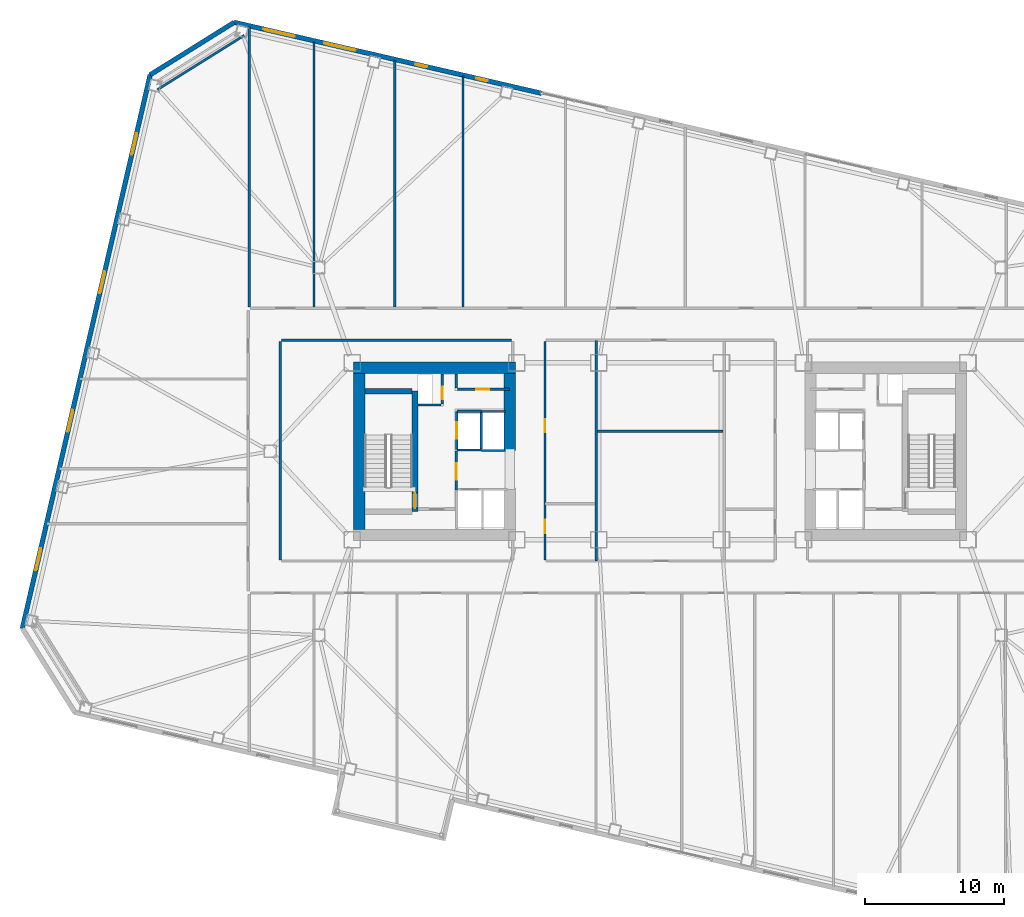
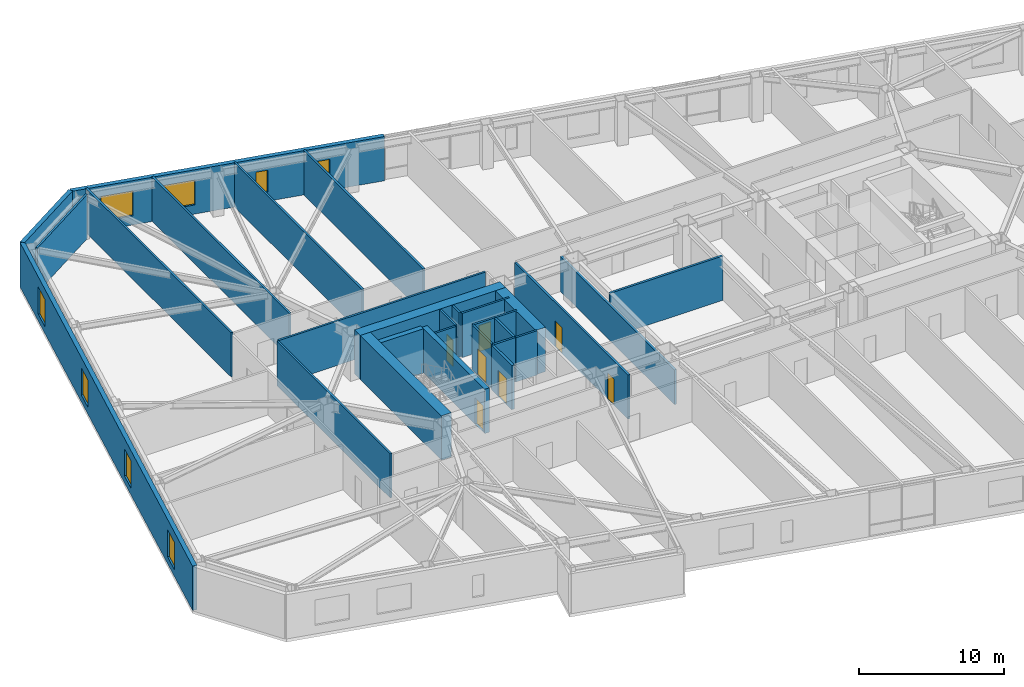
# One storey, part 10 of 18: 29 walls, 8 windows, 7 doors, 15 openings.
"""IFC4 building model written with IfcOpenShell, lengths in metres."""

from ifc_helpers import new_model, si_unit, direction, frame, frame_2d, origin, place, context, subcontext, project, spatial, rectangle, extrude, material, layer, layer_set, type_object, element, fill, save


model = new_model("IFC4")

# Units and contexts
model_context = context("Model", 3, precision=1e-05, world=origin(), true_north=direction((0.0, 1.0)))
body_context = subcontext(model_context, "Body", "Model", "MODEL_VIEW")
ifc_project = project(units=[si_unit("LENGTHUNIT", "METRE"), si_unit("AREAUNIT", "SQUARE_METRE"), si_unit("VOLUMEUNIT", "CUBIC_METRE"), si_unit("PLANEANGLEUNIT", "RADIAN"), si_unit("MASSUNIT", "GRAM", prefix="KILO")], contexts=[model_context])

# Site, building, storey
site_placement = place(None, origin())
site = spatial("IfcSite", under=ifc_project, at=site_placement, CompositionType="ELEMENT")
building_placement = place(site_placement, origin())
building = spatial("IfcBuilding", under=site, at=building_placement, Name="Tavrogorsk Clinical Tower", CompositionType="ELEMENT")
storey_placement = place(building_placement, frame((0.0, 0.0, 51.39990234375)))
storey = spatial("IfcBuildingStorey", under=building, at=storey_placement, Name="L10", CompositionType="ELEMENT", Elevation=51.39990234375)

# Wall, opening, door
ifc_material_1 = material(Name="Concrete B60", Category="concrete")
ifc_layer_1 = layer(ifc_material_1, 0.199951171875)
ifc_layer_set_1 = layer_set([ifc_layer_1], Name="Concrete B60")
wall_type_1 = type_object("IfcWallType", Name="CoreFireWall_200", PredefinedType="SOLIDWALL", material=ifc_layer_set_1)
wall_1_placement = place(storey_placement, frame((-14.639892578125, -2.780029296875, 0.0), z_axis=(0.0, 0.0, 1.0), x_axis=(0.0, 1.0, 0.0)))
wall_1 = element("IfcWall", 1, at=wall_1_placement, inside=storey, type_object=wall_type_1, Name="L10 Core West Firefighting Lobby Fire Wall", PredefinedType="SOLIDWALL", context=body_context, shape_type="SweptSolid", body=[
    extrude(rectangle(XDim=2.820068359375, YDim=0.199951171875, at=frame_2d((1.41015625, 0.0))), origin(), (0.0, 0.0, 1.0), 3.739990234375),
])
opening_1_placement = place(wall_1_placement, frame((0.72998046875, 0.0, 0.0)))
opening_1 = element("IfcOpeningElement", 2, at=opening_1_placement, cuts=wall_1, Name="Opening FD-01", PredefinedType="OPENING", context=body_context, shape_type="SweptSolid", body=[
    extrude(rectangle(XDim=1.199951171875, YDim=2.199951171875, at=frame_2d((0.60009765625, 1.10009765625))), frame((0.0, 0.10986328125, 0.0), z_axis=(0.0, -1.0, 0.0), x_axis=(1.0, 0.0, 0.0)), (0.0, 0.0, 1.0), 0.219970703125),
])
ifc_material_2 = material(Name="Galvanised steel fire-rated door assembly", Category="steel")
door_type_1 = type_object("IfcDoorType", Name="FireDoor_FD01_1200", OperationType="NOTDEFINED", PredefinedType="DOOR", material=ifc_material_2)
door_1_placement = place(opening_1_placement, origin())
door_1 = element("IfcDoor", 3, at=door_1_placement, inside=storey, type_object=door_type_1, Name="L10 Core West Firefighting Lobby Entry Door", OperationType="SINGLE_SWING_RIGHT", OverallHeight=2.199951171875, OverallWidth=1.199951171875, PredefinedType="DOOR", context=body_context, shape_type="SweptSolid", body=[
    extrude(rectangle(XDim=1.199951171875, YDim=2.199951171875, at=frame_2d((0.60009765625, 1.10009765625))), frame((0.0, 0.02490234375, 0.0), z_axis=(0.0, -1.0, 0.0), x_axis=(1.0, 0.0, 0.0)), (0.0, 0.0, 1.0), 0.050048828125),
])
fill(opening_1, door_1)

ifc_material_3 = material(Name="Lightweight concrete blockwork B15", Category="masonry")
ifc_layer_2 = layer(ifc_material_3, 0.159912109375)
ifc_layer_set_2 = layer_set([ifc_layer_2], Name="Lightweight concrete blockwork B15")
wall_type_2 = type_object("IfcWallType", Name="PartitionWall_160", PredefinedType="PARTITIONING", material=ifc_layer_set_2)
wall_2_placement = place(storey_placement, frame((-14.554931640625, 4.4599609375, 0.0), z_axis=(0.0, 0.0, 1.0), x_axis=(1.0, 0.0, 0.0)))
wall_2 = element("IfcWall", 4, at=wall_2_placement, inside=storey, type_object=wall_type_2, Name="L10 Core West Pneumatic Dispatch South Wall", PredefinedType="PARTITIONING", context=body_context, shape_type="SweptSolid", body=[
    extrude(rectangle(XDim=3.7548828125, YDim=0.159912109375, at=frame_2d((1.87744140625, 0.0))), origin(), (0.0, 0.0, 1.0), 3.739990234375),
])
opening_2_placement = place(wall_2_placement, frame((1.35009765625, 0.0, 0.0)))
opening_2 = element("IfcOpeningElement", 5, at=opening_2_placement, cuts=wall_2, Name="Opening ID-02", PredefinedType="OPENING", context=body_context, shape_type="SweptSolid", body=[
    extrude(rectangle(XDim=0.949951171875, YDim=2.199951171875, at=frame_2d((0.47509765625, 1.10009765625))), frame((0.0, 0.08984375, 0.0), z_axis=(0.0, -1.0, 0.0), x_axis=(1.0, 0.0, 0.0)), (0.0, 0.0, 1.0), 0.179931640625),
])
ifc_material_4 = material(Name="Laminated timber leaf on aluminium frame", Category="wood")
door_type_2 = type_object("IfcDoorType", Name="InteriorDoor_ID02_950", OperationType="NOTDEFINED", PredefinedType="DOOR", material=ifc_material_4)
door_2_placement = place(opening_2_placement, origin())
door_2 = element("IfcDoor", 6, at=door_2_placement, inside=storey, type_object=door_type_2, Name="L10 Core West Pneumatic Dispatch Door", OperationType="SINGLE_SWING_LEFT", OverallHeight=2.199951171875, OverallWidth=0.949951171875, PredefinedType="DOOR", context=body_context, shape_type="SweptSolid", body=[
    extrude(rectangle(XDim=0.949951171875, YDim=2.199951171875, at=frame_2d((0.47509765625, 1.10009765625))), frame((0.0, 0.02490234375, 0.0), z_axis=(0.0, -1.0, 0.0), x_axis=(1.0, 0.0, 0.0)), (0.0, 0.0, 1.0), 0.050048828125),
])
fill(opening_2, door_2)

# Walls
wall_3_placement = place(storey_placement, frame((-14.639892578125, 4.544921875, 0.0), z_axis=(0.0, 0.0, 1.0), x_axis=(0.0, 1.0, 0.0)))
element("IfcWall", 7, at=wall_3_placement, inside=storey, type_object=wall_type_2, Name="L10 Core West Pneumatic Dispatch East Wall", PredefinedType="PARTITIONING", context=body_context, shape_type="SweptSolid", body=[
    extrude(rectangle(XDim=1.01513671875, YDim=0.159912109375, at=frame_2d((0.507568359375, 0.0))), origin(), (0.0, 0.0, 1.0), 3.739990234375),
])
wall_4_placement = place(storey_placement, frame((-29.859619140625, 29.8681640625, 0.0), z_axis=(0.0, 0.0, 1.0), x_axis=(-0.848043064089, -0.529927317139, 0.0)))
element("IfcWall", 8, at=wall_4_placement, inside=storey, type_object=wall_type_2, Name="L10 Corner Exoskeleton Brace Furring Wall 3", PredefinedType="PARTITIONING", context=body_context, shape_type="SweptSolid", body=[
    extrude(rectangle(XDim=7.353759765625, YDim=0.159912109375, at=frame_2d((3.6767578125, 0.0))), origin(), (0.0, 0.0, 1.0), 3.739990234375),
])

# Wall, openings, doors
wall_5_placement = place(storey_placement, frame((-8.27001953125, 7.885009765625, 0.0), z_axis=(0.0, 0.0, 1.0), x_axis=(0.0, -1.0, 0.0)))
wall_5 = element("IfcWall", 9, at=wall_5_placement, inside=storey, type_object=wall_type_2, Name="L10 Corridor Partition 12", PredefinedType="PARTITIONING", context=body_context, shape_type="SweptSolid", body=[
    extrude(rectangle(XDim=15.669921875, YDim=0.159912109375, at=frame_2d((7.8349609375, 0.0))), origin(), (0.0, 0.0, 1.0), 3.739990234375),
])
opening_3_placement = place(wall_5_placement, frame((12.810791015625, 0.0, 0.0)))
opening_3 = element("IfcOpeningElement", 10, at=opening_3_placement, cuts=wall_5, Name="Opening ID-02", PredefinedType="OPENING", context=body_context, shape_type="SweptSolid", body=[
    extrude(rectangle(XDim=0.949951171875, YDim=2.199951171875, at=frame_2d((0.47509765625, 1.10009765625))), frame((0.0, 0.08984375, 0.0), z_axis=(0.0, -1.0, 0.0), x_axis=(1.0, 0.0, 0.0)), (0.0, 0.0, 1.0), 0.179931640625),
])
opening_4_placement = place(wall_5_placement, frame((5.5791015625, 0.0, 0.0)))
opening_4 = element("IfcOpeningElement", 11, at=opening_4_placement, cuts=wall_5, Name="Opening ID-02", PredefinedType="OPENING", context=body_context, shape_type="SweptSolid", body=[
    extrude(rectangle(XDim=0.949951171875, YDim=2.199951171875, at=frame_2d((0.47509765625, 1.10009765625))), frame((0.0, 0.08984375, 0.0), z_axis=(0.0, -1.0, 0.0), x_axis=(1.0, 0.0, 0.0)), (0.0, 0.0, 1.0), 0.179931640625),
])
door_3_placement = place(opening_3_placement, origin())
door_3 = element("IfcDoor", 12, at=door_3_placement, inside=storey, type_object=door_type_2, Name="L10 Accessible Patient Lavatory Door", OperationType="SINGLE_SWING_LEFT", OverallHeight=2.199951171875, OverallWidth=0.949951171875, PredefinedType="DOOR", context=body_context, shape_type="SweptSolid", body=[
    extrude(rectangle(XDim=0.949951171875, YDim=2.199951171875, at=frame_2d((0.47509765625, 1.10009765625))), frame((0.0, 0.02490234375, 0.0), z_axis=(0.0, -1.0, 0.0), x_axis=(1.0, 0.0, 0.0)), (0.0, 0.0, 1.0), 0.050048828125),
])
fill(opening_3, door_3)
door_4_placement = place(opening_4_placement, origin())
door_4 = element("IfcDoor", 13, at=door_4_placement, inside=storey, type_object=door_type_2, Name="L10 Ward Nourishment Pantry Door", OperationType="SINGLE_SWING_RIGHT", OverallHeight=2.199951171875, OverallWidth=0.949951171875, PredefinedType="DOOR", context=body_context, shape_type="SweptSolid", body=[
    extrude(rectangle(XDim=0.949951171875, YDim=2.199951171875, at=frame_2d((0.47509765625, 1.10009765625))), frame((0.0, 0.02490234375, 0.0), z_axis=(0.0, -1.0, 0.0), x_axis=(1.0, 0.0, 0.0)), (0.0, 0.0, 1.0), 0.050048828125),
])
fill(opening_4, door_4)

# Walls
wall_6_placement = place(storey_placement, frame((-10.6650390625, 7.969970703125, 0.0), z_axis=(0.0, 0.0, 1.0), x_axis=(-1.0, 0.0, 0.0)))
element("IfcWall", 14, at=wall_6_placement, inside=storey, type_object=wall_type_2, Name="L10 Corridor Partition 16", PredefinedType="PARTITIONING", context=body_context, shape_type="SweptSolid", body=[
    extrude(rectangle(XDim=16.52001953125, YDim=0.159912109375, at=frame_2d((8.260009765625, 0.0))), origin(), (0.0, 0.0, 1.0), 3.739990234375),
])
wall_7_placement = place(storey_placement, frame((-27.27001953125, 7.885009765625, 0.0), z_axis=(0.0, 0.0, 1.0), x_axis=(0.0, -1.0, 0.0)))
element("IfcWall", 15, at=wall_7_placement, inside=storey, type_object=wall_type_2, Name="L10 Corridor Partition 17", PredefinedType="PARTITIONING", context=body_context, shape_type="SweptSolid", body=[
    extrude(rectangle(XDim=15.669921875, YDim=0.159912109375, at=frame_2d((7.8349609375, 0.0))), origin(), (0.0, 0.0, 1.0), 3.739990234375),
])
wall_8_placement = place(storey_placement, frame((-29.5, 10.364990234375, 0.0), z_axis=(0.0, 0.0, 1.0), x_axis=(0.0, 1.0, 0.0)))
element("IfcWall", 16, at=wall_8_placement, inside=storey, type_object=wall_type_2, Name="L10 NW Wing Closure Partition", PredefinedType="PARTITIONING", context=body_context, shape_type="SweptSolid", body=[
    extrude(rectangle(XDim=20.11865234375, YDim=0.159912109375, at=frame_2d((10.059326171875, 0.0))), origin(), (0.0, 0.0, 1.0), 3.739990234375),
])
wall_9_placement = place(storey_placement, frame((-24.85009765625, 10.364990234375, 0.0), z_axis=(0.0, 0.0, 1.0), x_axis=(0.0, 1.0, 0.0)))
element("IfcWall", 17, at=wall_9_placement, inside=storey, type_object=wall_type_2, Name="L10 North Room Partition 1", PredefinedType="PARTITIONING", context=body_context, shape_type="SweptSolid", body=[
    extrude(rectangle(XDim=19.045166015625, YDim=0.159912109375, at=frame_2d((9.5224609375, 0.0))), origin(), (0.0, 0.0, 1.0), 3.739990234375),
])
wall_10_placement = place(storey_placement, frame((-14.159912109375, 10.364990234375, 0.0), z_axis=(0.0, 0.0, 1.0), x_axis=(0.0, 1.0, 0.0)))
element("IfcWall", 18, at=wall_10_placement, inside=storey, type_object=wall_type_2, Name="L10 North Room Partition 2", PredefinedType="PARTITIONING", context=body_context, shape_type="SweptSolid", body=[
    extrude(rectangle(XDim=16.5771484375, YDim=0.159912109375, at=frame_2d((8.28857421875, 0.0))), origin(), (0.0, 0.0, 1.0), 3.739990234375),
])
wall_11_placement = place(storey_placement, frame((-19.054931640625, 10.364990234375, 0.0), z_axis=(0.0, 0.0, 1.0), x_axis=(0.0, 1.0, 0.0)))
element("IfcWall", 19, at=wall_11_placement, inside=storey, type_object=wall_type_2, Name="L10 North Sub-Partition 2", PredefinedType="PARTITIONING", context=body_context, shape_type="SweptSolid", body=[
    extrude(rectangle(XDim=17.707275390625, YDim=0.159912109375, at=frame_2d((8.853515625, 0.0))), origin(), (0.0, 0.0, 1.0), 3.739990234375),
])
ifc_material_5 = material(Name="Lightweight concrete blockwork B20", Category="masonry")
ifc_layer_3 = layer(ifc_material_5, 0.179931640625)
ifc_layer_set_3 = layer_set([ifc_layer_3], Name="Lightweight concrete blockwork B20")
wall_type_3 = type_object("IfcWallType", Name="PartitionWall_180", PredefinedType="PARTITIONING", material=ifc_layer_set_3)
wall_12_placement = place(storey_placement, frame((-4.60009765625, -7.864990234375, 0.0), z_axis=(0.0, 0.0, 1.0), x_axis=(0.0, 1.0, 0.0)))
element("IfcWall", 20, at=wall_12_placement, inside=storey, type_object=wall_type_3, Name="L10 Central Spine Partition 1", PredefinedType="PARTITIONING", context=body_context, shape_type="SweptSolid", body=[
    extrude(rectangle(XDim=15.830078125, YDim=0.179931640625, at=frame_2d((7.9150390625, 0.0))), origin(), (0.0, 0.0, 1.0), 2.93505859375),
])
wall_13_placement = place(storey_placement, frame((-4.5048828125, 1.449951171875, 0.0), z_axis=(0.0, 0.0, 1.0), x_axis=(1.0, 0.0, 0.0)))
element("IfcWall", 21, at=wall_13_placement, inside=storey, type_object=wall_type_3, Name="L10 Central Spine Partition 3", PredefinedType="PARTITIONING", context=body_context, shape_type="SweptSolid", body=[
    extrude(rectangle(XDim=9.009765625, YDim=0.179931640625, at=frame_2d((4.5048828125, 0.0))), origin(), (0.0, 0.0, 1.0), 3.739990234375),
])

# Wall, openings, windows
ifc_material_6 = material(Name="Precast concrete B45 with limestone cladding", Category="masonry")
ifc_layer_4 = layer(ifc_material_6, 0.340087890625)
ifc_layer_set_4 = layer_set([ifc_layer_4], Name="Precast concrete B45 with limestone cladding")
wall_type_4 = type_object("IfcWallType", Name="PrecastLimestoneWall_340", PredefinedType="STANDARD", material=ifc_layer_set_4)
wall_14_placement = place(storey_placement, frame((-8.5166015625, 25.711181640625, 0.0), z_axis=(0.0, 0.0, 1.0), x_axis=(-0.974372845456, 0.224939009598, 0.0)))
wall_14 = element("IfcWall", 22, at=wall_14_placement, inside=storey, type_object=wall_type_4, Name="L10 N Limestone Facade Wall 3", PredefinedType="STANDARD", context=body_context, shape_type="SweptSolid", body=[
    extrude(rectangle(XDim=22.651611328125, YDim=0.340087890625, at=frame_2d((11.32568359375, 0.0))), origin(), (0.0, 0.0, 1.0), 3.739990234375),
])
opening_5_placement = place(wall_14_placement, frame((18.189208984375, 0.0, 0.77001953125)))
opening_5 = element("IfcOpeningElement", 23, at=opening_5_placement, cuts=wall_14, Name="Opening WN-12", PredefinedType="OPENING", context=body_context, shape_type="SweptSolid", body=[
    extrude(rectangle(XDim=2.300048828125, YDim=2.10009765625, at=frame_2d((1.14990234375, 1.050048828125))), frame((0.0, 0.179931640625, 0.0), z_axis=(0.0, -1.0, 0.0), x_axis=(1.0, 0.0, 0.0)), (0.0, 0.0, 1.0), 0.360107421875),
])
opening_6_placement = place(wall_14_placement, frame((13.704833984375, 0.0, 0.77001953125)))
opening_6 = element("IfcOpeningElement", 24, at=opening_6_placement, cuts=wall_14, Name="Opening WN-12", PredefinedType="OPENING", context=body_context, shape_type="SweptSolid", body=[
    extrude(rectangle(XDim=2.300048828125, YDim=2.10009765625, at=frame_2d((1.14990234375, 1.050048828125))), frame((0.0, 0.179931640625, 0.0), z_axis=(0.0, -1.0, 0.0), x_axis=(1.0, 0.0, 0.0)), (0.0, 0.0, 1.0), 0.360107421875),
])
opening_7_placement = place(wall_14_placement, frame((8.440673828125, 0.0, 0.77001953125)))
opening_7 = element("IfcOpeningElement", 25, at=opening_7_placement, cuts=wall_14, Name="Opening WN-06", PredefinedType="OPENING", context=body_context, shape_type="SweptSolid", body=[
    extrude(rectangle(XDim=0.85009765625, YDim=1.85009765625, at=frame_2d((0.425048828125, 0.925048828125))), frame((0.0, 0.179931640625, 0.0), z_axis=(0.0, -1.0, 0.0), x_axis=(1.0, 0.0, 0.0)), (0.0, 0.0, 1.0), 0.360107421875),
])
opening_8_placement = place(wall_14_placement, frame((3.956298828125, 0.0, 0.77001953125)))
opening_8 = element("IfcOpeningElement", 26, at=opening_8_placement, cuts=wall_14, Name="Opening WN-06", PredefinedType="OPENING", context=body_context, shape_type="SweptSolid", body=[
    extrude(rectangle(XDim=0.85009765625, YDim=1.85009765625, at=frame_2d((0.425048828125, 0.925048828125))), frame((0.0, 0.179931640625, 0.0), z_axis=(0.0, -1.0, 0.0), x_axis=(1.0, 0.0, 0.0)), (0.0, 0.0, 1.0), 0.360107421875),
])
ifc_material_7 = material(Name="Thermally broken aluminium frame and triple IGU", Category="aluminium")
window_type_1 = type_object("IfcWindowType", Name="MullionSubWin_850x1850", PartitioningType="SINGLE_PANEL", PredefinedType="WINDOW", material=ifc_material_7)
window_1_placement = place(opening_7_placement, origin())
window_1 = element("IfcWindow", 27, at=window_1_placement, inside=storey, type_object=window_type_1, Name="L10 N Mullion Split Window 03A", OverallHeight=1.85009765625, OverallWidth=0.85009765625, PartitioningType="SINGLE_PANEL", PredefinedType="WINDOW", context=body_context, shape_type="SweptSolid", body=[
    extrude(rectangle(XDim=0.85009765625, YDim=1.85009765625, at=frame_2d((0.425048828125, 0.925048828125))), frame((0.0, 0.030029296875, 0.0), z_axis=(0.0, -1.0, 0.0), x_axis=(1.0, 0.0, 0.0)), (0.0, 0.0, 1.0), 0.06005859375),
])
fill(opening_7, window_1)
window_2_placement = place(opening_8_placement, origin())
window_2 = element("IfcWindow", 28, at=window_2_placement, inside=storey, type_object=window_type_1, Name="L10 N Mullion Split Window 04A", OverallHeight=1.85009765625, OverallWidth=0.85009765625, PartitioningType="SINGLE_PANEL", PredefinedType="WINDOW", context=body_context, shape_type="SweptSolid", body=[
    extrude(rectangle(XDim=0.85009765625, YDim=1.85009765625, at=frame_2d((0.425048828125, 0.925048828125))), frame((0.0, 0.030029296875, 0.0), z_axis=(0.0, -1.0, 0.0), x_axis=(1.0, 0.0, 0.0)), (0.0, 0.0, 1.0), 0.06005859375),
])
fill(opening_8, window_2)
ifc_material_8 = material(Name="Thermally broken aluminium frame and triple IGU", Category="aluminium")
window_type_2 = type_object("IfcWindowType", Name="RecoveryWin_2300x2100", PartitioningType="DOUBLE_PANEL_VERTICAL", PredefinedType="WINDOW", material=ifc_material_8)
window_3_placement = place(opening_5_placement, origin())
window_3 = element("IfcWindow", 29, at=window_3_placement, inside=storey, type_object=window_type_2, Name="L10 N Chicago Window 01", OverallHeight=2.10009765625, OverallWidth=2.300048828125, PartitioningType="SINGLE_PANEL", PredefinedType="WINDOW", context=body_context, shape_type="SweptSolid", body=[
    extrude(rectangle(XDim=2.300048828125, YDim=2.10009765625, at=frame_2d((1.14990234375, 1.050048828125))), frame((0.0, 0.030029296875, 0.0), z_axis=(0.0, -1.0, 0.0), x_axis=(1.0, 0.0, 0.0)), (0.0, 0.0, 1.0), 0.06005859375),
])
fill(opening_5, window_3)
window_4_placement = place(opening_6_placement, origin())
window_4 = element("IfcWindow", 30, at=window_4_placement, inside=storey, type_object=window_type_2, Name="L10 N Chicago Window 02", OverallHeight=2.10009765625, OverallWidth=2.300048828125, PartitioningType="SINGLE_PANEL", PredefinedType="WINDOW", context=body_context, shape_type="SweptSolid", body=[
    extrude(rectangle(XDim=2.300048828125, YDim=2.10009765625, at=frame_2d((1.14990234375, 1.050048828125))), frame((0.0, 0.030029296875, 0.0), z_axis=(0.0, -1.0, 0.0), x_axis=(1.0, 0.0, 0.0)), (0.0, 0.0, 1.0), 0.06005859375),
])
fill(opening_6, window_4)

wall_15_placement = place(storey_placement, frame((-36.6201171875, 27.036865234375, 0.0), z_axis=(0.0, 0.0, 1.0), x_axis=(-0.224951280646, -0.974370012539, 0.0)))
wall_15 = element("IfcWall", 31, at=wall_15_placement, inside=storey, type_object=wall_type_4, Name="L10 W Pleated Limestone Wing Wall", PredefinedType="STANDARD", context=body_context, shape_type="SweptSolid", body=[
    extrude(rectangle(XDim=40.7998046875, YDim=0.340087890625, at=frame_2d((20.39990234375, 0.0))), origin(), (0.0, 0.0, 1.0), 3.739990234375),
])
opening_9_placement = place(wall_15_placement, frame((4.300048828125, 0.0, 0.580078125)))
opening_9 = element("IfcOpeningElement", 32, at=opening_9_placement, cuts=wall_15, Name="Opening WN-07", PredefinedType="OPENING", context=body_context, shape_type="SweptSolid", body=[
    extrude(rectangle(XDim=1.60009765625, YDim=2.300048828125, at=frame_2d((0.800048828125, 1.14990234375))), frame((0.0, 0.179931640625, 0.0), z_axis=(0.0, -1.0, 0.0), x_axis=(1.0, 0.0, 0.0)), (0.0, 0.0, 1.0), 0.360107421875),
])
opening_10_placement = place(wall_15_placement, frame((14.5, 0.0, 0.580078125)))
opening_10 = element("IfcOpeningElement", 33, at=opening_10_placement, cuts=wall_15, Name="Opening WN-07", PredefinedType="OPENING", context=body_context, shape_type="SweptSolid", body=[
    extrude(rectangle(XDim=1.60009765625, YDim=2.300048828125, at=frame_2d((0.800048828125, 1.14990234375))), frame((0.0, 0.179931640625, 0.0), z_axis=(0.0, -1.0, 0.0), x_axis=(1.0, 0.0, 0.0)), (0.0, 0.0, 1.0), 0.360107421875),
])
opening_11_placement = place(wall_15_placement, frame((24.699951171875, 0.0, 0.580078125)))
opening_11 = element("IfcOpeningElement", 34, at=opening_11_placement, cuts=wall_15, Name="Opening WN-07", PredefinedType="OPENING", context=body_context, shape_type="SweptSolid", body=[
    extrude(rectangle(XDim=1.60009765625, YDim=2.300048828125, at=frame_2d((0.800048828125, 1.14990234375))), frame((0.0, 0.179931640625, 0.0), z_axis=(0.0, -1.0, 0.0), x_axis=(1.0, 0.0, 0.0)), (0.0, 0.0, 1.0), 0.360107421875),
])
opening_12_placement = place(wall_15_placement, frame((34.89990234375, 0.0, 0.580078125)))
opening_12 = element("IfcOpeningElement", 35, at=opening_12_placement, cuts=wall_15, Name="Opening WN-07", PredefinedType="OPENING", context=body_context, shape_type="SweptSolid", body=[
    extrude(rectangle(XDim=1.60009765625, YDim=2.300048828125, at=frame_2d((0.800048828125, 1.14990234375))), frame((0.0, 0.179931640625, 0.0), z_axis=(0.0, -1.0, 0.0), x_axis=(1.0, 0.0, 0.0)), (0.0, 0.0, 1.0), 0.360107421875),
])
ifc_material_9 = material(Name="Thermally broken aluminium frame and triple IGU", Category="aluminium")
window_type_3 = type_object("IfcWindowType", Name="PleatSlotWin_1600x2300", PartitioningType="SINGLE_PANEL", PredefinedType="WINDOW", material=ifc_material_9)
window_5_placement = place(opening_9_placement, origin())
window_5 = element("IfcWindow", 36, at=window_5_placement, inside=storey, type_object=window_type_3, Name="L10 W Pleat Slot Window 1", OverallHeight=2.300048828125, OverallWidth=1.60009765625, PartitioningType="SINGLE_PANEL", PredefinedType="WINDOW", context=body_context, shape_type="SweptSolid", body=[
    extrude(rectangle(XDim=1.60009765625, YDim=2.300048828125, at=frame_2d((0.800048828125, 1.14990234375))), frame((0.0, 0.030029296875, 0.0), z_axis=(0.0, -1.0, 0.0), x_axis=(1.0, 0.0, 0.0)), (0.0, 0.0, 1.0), 0.06005859375),
])
fill(opening_9, window_5)
window_6_placement = place(opening_10_placement, origin())
window_6 = element("IfcWindow", 37, at=window_6_placement, inside=storey, type_object=window_type_3, Name="L10 W Pleat Slot Window 2", OverallHeight=2.300048828125, OverallWidth=1.60009765625, PartitioningType="SINGLE_PANEL", PredefinedType="WINDOW", context=body_context, shape_type="SweptSolid", body=[
    extrude(rectangle(XDim=1.60009765625, YDim=2.300048828125, at=frame_2d((0.800048828125, 1.14990234375))), frame((0.0, 0.030029296875, 0.0), z_axis=(0.0, -1.0, 0.0), x_axis=(1.0, 0.0, 0.0)), (0.0, 0.0, 1.0), 0.06005859375),
])
fill(opening_10, window_6)
window_7_placement = place(opening_11_placement, origin())
window_7 = element("IfcWindow", 38, at=window_7_placement, inside=storey, type_object=window_type_3, Name="L10 W Pleat Slot Window 3", OverallHeight=2.300048828125, OverallWidth=1.60009765625, PartitioningType="SINGLE_PANEL", PredefinedType="WINDOW", context=body_context, shape_type="SweptSolid", body=[
    extrude(rectangle(XDim=1.60009765625, YDim=2.300048828125, at=frame_2d((0.800048828125, 1.14990234375))), frame((0.0, 0.030029296875, 0.0), z_axis=(0.0, -1.0, 0.0), x_axis=(1.0, 0.0, 0.0)), (0.0, 0.0, 1.0), 0.06005859375),
])
fill(opening_11, window_7)
window_8_placement = place(opening_12_placement, origin())
window_8 = element("IfcWindow", 39, at=window_8_placement, inside=storey, type_object=window_type_3, Name="L10 W Pleat Slot Window 4", OverallHeight=2.300048828125, OverallWidth=1.60009765625, PartitioningType="SINGLE_PANEL", PredefinedType="WINDOW", context=body_context, shape_type="SweptSolid", body=[
    extrude(rectangle(XDim=1.60009765625, YDim=2.300048828125, at=frame_2d((0.800048828125, 1.14990234375))), frame((0.0, 0.030029296875, 0.0), z_axis=(0.0, -1.0, 0.0), x_axis=(1.0, 0.0, 0.0)), (0.0, 0.0, 1.0), 0.06005859375),
])
fill(opening_12, window_8)

# Wall
wall_16_placement = place(storey_placement, frame((-30.587646484375, 30.806640625, 0.0), z_axis=(0.0, 0.0, 1.0), x_axis=(-0.848031080615, -0.529946493819, 0.0)))
element("IfcWall", 40, at=wall_16_placement, inside=storey, type_object=wall_type_4, Name="L10 Chamfered Corner Wall 3", PredefinedType="STANDARD", context=body_context, shape_type="SweptSolid", body=[
    extrude(rectangle(XDim=7.113525390625, YDim=0.340087890625, at=frame_2d((3.556640625, 0.0))), origin(), (0.0, 0.0, 1.0), 3.739990234375),
])

# Wall, opening, door
ifc_material_10 = material(Name="Lightweight concrete blockwork B25", Category="masonry")
ifc_layer_5 = layer(ifc_material_10, 0.159912109375)
ifc_layer_set_5 = layer_set([ifc_layer_5], Name="Lightweight concrete blockwork B25")
wall_type_5 = type_object("IfcWallType", Name="ShaftWall_160", PredefinedType="PARTITIONING", material=ifc_layer_set_5)
wall_17_placement = place(storey_placement, frame((-14.60009765625, 0.1201171875, 0.0), z_axis=(0.0, 0.0, 1.0), x_axis=(0.0, 1.0, 0.0)))
wall_17 = element("IfcWall", 41, at=wall_17_placement, inside=storey, type_object=wall_type_5, Name="L10 FFL-W Firefighting Lift Front Wall", PredefinedType="PARTITIONING", context=body_context, shape_type="SweptSolid", body=[
    extrude(rectangle(XDim=2.739990234375, YDim=0.159912109375, at=frame_2d((1.3701171875, 0.0))), origin(), (0.0, 0.0, 1.0), 3.739990234375),
])
opening_13_placement = place(wall_17_placement, frame((0.77001953125, 0.0, 0.0)))
opening_13 = element("IfcOpeningElement", 42, at=opening_13_placement, cuts=wall_17, Name="Opening LD", PredefinedType="OPENING", context=body_context, shape_type="SweptSolid", body=[
    extrude(rectangle(XDim=1.199951171875, YDim=2.199951171875, at=frame_2d((0.60009765625, 1.10009765625))), frame((0.0, 0.08984375, 0.0), z_axis=(0.0, -1.0, 0.0), x_axis=(1.0, 0.0, 0.0)), (0.0, 0.0, 1.0), 0.179931640625),
])
ifc_material_11 = material(Name="Brushed stainless steel AISI 304 sliding doors", Category="steel")
door_type_3 = type_object("IfcDoorType", Name="LiftLandingDoor_LD_1200", OperationType="SLIDING_TO_LEFT", PredefinedType="DOOR", material=ifc_material_11)
door_5_placement = place(opening_13_placement, origin())
door_5 = element("IfcDoor", 43, at=door_5_placement, inside=storey, type_object=door_type_3, Name="L10 FFL-W Sliding Lift Landing Door", OperationType="SLIDING_TO_LEFT", OverallHeight=2.199951171875, OverallWidth=1.199951171875, PredefinedType="DOOR", context=body_context, shape_type="SweptSolid", body=[
    extrude(rectangle(XDim=1.199951171875, YDim=2.199951171875, at=frame_2d((0.60009765625, 1.10009765625))), frame((0.0, 0.02490234375, 0.0), z_axis=(0.0, -1.0, 0.0), x_axis=(1.0, 0.0, 0.0)), (0.0, 0.0, 1.0), 0.050048828125),
])
fill(opening_13, door_5)

# Walls
for number, where, z_axis, x_axis, name in (
    (44, (-14.60009765625, 0.10009765625, 0.0), (0.0, 0.0, 1.0), (1.0, 0.0, 0.0), "L10 FFL-W Shaft South Wall"),
    (45, (-14.60009765625, 2.8798828125, 0.0), (0.0, 0.0, 1.0), (1.0, 0.0, 0.0), "L10 FFL-W Shaft North Wall"),
):
    element("IfcWall", number, at=place(storey_placement, frame(where, z_axis=z_axis, x_axis=x_axis)), inside=storey, type_object=wall_type_5, Name=name, PredefinedType="PARTITIONING", context=body_context, shape_type="SweptSolid", body=[
        extrude(rectangle(XDim=1.760009765625, YDim=0.159912109375, at=frame_2d((0.8798828125, 0.0))), origin(), (0.0, 0.0, 1.0), 3.739990234375),
    ])
wall_18_placement = place(storey_placement, frame((-12.840087890625, 0.179931640625, 0.0), z_axis=(0.0, 0.0, 1.0), x_axis=(0.0, 1.0, 0.0)))
element("IfcWall", 46, at=wall_18_placement, inside=storey, type_object=wall_type_5, Name="L10 FFL-W Shaft Back Wall", PredefinedType="PARTITIONING", context=body_context, shape_type="SweptSolid", body=[
    extrude(rectangle(XDim=2.6201171875, YDim=0.159912109375, at=frame_2d((1.31005859375, 0.0))), origin(), (0.0, 0.0, 1.0), 3.739990234375),
])
for number, where, z_axis, x_axis, name in (
    (47, (-12.820068359375, 0.06005859375, 0.0), (0.0, 0.0, 1.0), (1.0, 0.0, 0.0), "L10 LP-H1 High-Zone Lift Portal Wall"),
    (48, (-12.820068359375, 2.860107421875, 0.0), (0.0, 0.0, 1.0), (1.0, 0.0, 0.0), "L10 LP-H1 High-Zone Lift Rear Wall"),
):
    element("IfcWall", number, at=place(storey_placement, frame(where, z_axis=z_axis, x_axis=x_axis)), inside=storey, type_object=wall_type_5, Name=name, PredefinedType="PARTITIONING", context=body_context, shape_type="SweptSolid", body=[
        extrude(rectangle(XDim=1.719970703125, YDim=0.159912109375, at=frame_2d((0.85986328125, 0.0))), origin(), (0.0, 0.0, 1.0), 3.739990234375),
    ])

# Wall, opening, door
wall_19_placement = place(storey_placement, frame((-15.639892578125, 3.405029296875, 0.0), z_axis=(0.0, 0.0, 1.0), x_axis=(0.0, 1.0, 0.0)))
wall_19 = element("IfcWall", 49, at=wall_19_placement, inside=storey, type_object=wall_type_5, Name="L10 Core West Riser West Wall", PredefinedType="PARTITIONING", context=body_context, shape_type="SweptSolid", body=[
    extrude(rectangle(XDim=2.155029296875, YDim=0.159912109375, at=frame_2d((1.07763671875, 0.0))), origin(), (0.0, 0.0, 1.0), 3.739990234375),
])
opening_14_placement = place(wall_19_placement, frame((0.35009765625, 0.0, 0.0)))
opening_14 = element("IfcOpeningElement", 50, at=opening_14_placement, cuts=wall_19, Name="Opening FD-02", PredefinedType="OPENING", context=body_context, shape_type="SweptSolid", body=[
    extrude(rectangle(XDim=0.89990234375, YDim=2.199951171875, at=frame_2d((0.449951171875, 1.10009765625))), frame((0.0, 0.08984375, 0.0), z_axis=(0.0, -1.0, 0.0), x_axis=(1.0, 0.0, 0.0)), (0.0, 0.0, 1.0), 0.179931640625),
])
ifc_material_12 = material(Name="Galvanised steel fire-rated door assembly", Category="steel")
door_type_4 = type_object("IfcDoorType", Name="FireDoor_FD02_900", OperationType="NOTDEFINED", PredefinedType="DOOR", material=ifc_material_12)
door_6_placement = place(opening_14_placement, origin())
door_6 = element("IfcDoor", 51, at=door_6_placement, inside=storey, type_object=door_type_4, Name="L10 Core West Electrical Riser Access Door", OperationType="SINGLE_SWING_LEFT", OverallHeight=2.199951171875, OverallWidth=0.89990234375, PredefinedType="DOOR", context=body_context, shape_type="SweptSolid", body=[
    extrude(rectangle(XDim=0.89990234375, YDim=2.199951171875, at=frame_2d((0.449951171875, 1.10009765625))), frame((0.0, 0.02490234375, 0.0), z_axis=(0.0, -1.0, 0.0), x_axis=(1.0, 0.0, 0.0)), (0.0, 0.0, 1.0), 0.050048828125),
])
fill(opening_14, door_6)

# Wall
wall_20_placement = place(storey_placement, frame((-17.3798828125, 3.320068359375, 0.0), z_axis=(0.0, 0.0, 1.0), x_axis=(1.0, 0.0, 0.0)))
element("IfcWall", 52, at=wall_20_placement, inside=storey, type_object=wall_type_5, Name="L10 Core West Riser South Wall", PredefinedType="PARTITIONING", context=body_context, shape_type="SweptSolid", body=[
    extrude(rectangle(XDim=1.65478515625, YDim=0.159912109375, at=frame_2d((0.827392578125, 0.0))), origin(), (0.0, 0.0, 1.0), 3.739990234375),
])

# Wall, opening, door
ifc_material_13 = material(Name="Concrete B80", Category="concrete")
ifc_layer_6 = layer(ifc_material_13, 0.39990234375)
ifc_layer_set_6 = layer_set([ifc_layer_6], Name="Concrete B80")
wall_type_6 = type_object("IfcWallType", Name="ShearWall_400", PredefinedType="SHEAR", material=ifc_layer_set_6)
wall_21_placement = place(storey_placement, frame((-17.60009765625, -4.324951171875, 0.0), z_axis=(0.0, 0.0, 1.0), x_axis=(0.0, 1.0, 0.0)))
wall_21 = element("IfcWall", 53, at=wall_21_placement, inside=storey, type_object=wall_type_6, Name="L10 Core West Stair Shaft Inner Shear Wall", PredefinedType="SHEAR", context=body_context, shape_type="SweptSolid", body=[
    extrude(rectangle(XDim=8.64990234375, YDim=0.39990234375, at=frame_2d((4.324951171875, 0.0))), origin(), (0.0, 0.0, 1.0), 3.739990234375),
])
opening_15_placement = place(wall_21_placement, frame((0.25, 0.0, 0.0)))
opening_15 = element("IfcOpeningElement", 54, at=opening_15_placement, cuts=wall_21, Name="Opening SD-01", PredefinedType="OPENING", context=body_context, shape_type="SweptSolid", body=[
    extrude(rectangle(XDim=1.10009765625, YDim=2.199951171875, at=frame_2d((0.550048828125, 1.10009765625))), frame((0.0, 0.2099609375, 0.0), z_axis=(0.0, -1.0, 0.0), x_axis=(1.0, 0.0, 0.0)), (0.0, 0.0, 1.0), 0.419921875),
])
ifc_material_14 = material(Name="Galvanised steel smoke-tight fire door assembly", Category="steel")
door_type_5 = type_object("IfcDoorType", Name="StairFireDoor_SD01_1100", OperationType="NOTDEFINED", PredefinedType="DOOR", material=ifc_material_14)
door_7_placement = place(opening_15_placement, origin())
door_7 = element("IfcDoor", 55, at=door_7_placement, inside=storey, type_object=door_type_5, Name="L10 ST-W Exit Stair Door", OperationType="SINGLE_SWING_LEFT", OverallHeight=2.199951171875, OverallWidth=1.10009765625, PredefinedType="DOOR", context=body_context, shape_type="SweptSolid", body=[
    extrude(rectangle(XDim=1.10009765625, YDim=2.199951171875, at=frame_2d((0.550048828125, 1.10009765625))), frame((0.0, 0.02490234375, 0.0), z_axis=(0.0, -1.0, 0.0), x_axis=(1.0, 0.0, 0.0)), (0.0, 0.0, 1.0), 0.050048828125),
])
fill(opening_15, door_7)

# Walls
wall_22_placement = place(storey_placement, frame((-21.199951171875, 4.324951171875, 0.0), z_axis=(0.0, 0.0, 1.0), x_axis=(1.0, 0.0, 0.0)))
element("IfcWall", 56, at=wall_22_placement, inside=storey, type_object=wall_type_6, Name="L10 Core West Stair Shaft North Shear Wall", PredefinedType="SHEAR", context=body_context, shape_type="SweptSolid", body=[
    extrude(rectangle(XDim=3.39990234375, YDim=0.39990234375, at=frame_2d((1.699951171875, 0.0))), origin(), (0.0, 0.0, 1.0), 3.739990234375),
])
ifc_material_15 = material(Name="Concrete B80", Category="concrete")
ifc_layer_7 = layer(ifc_material_15, 0.800048828125)
ifc_layer_set_7 = layer_set([ifc_layer_7], Name="Concrete B80")
wall_type_7 = type_object("IfcWallType", Name="ShearWall_800", PredefinedType="SHEAR", material=ifc_layer_set_7)
wall_23_placement = place(storey_placement, frame((-22.0, 6.0, 0.0), z_axis=(0.0, 0.0, 1.0), x_axis=(1.0, 0.0, 0.0)))
element("IfcWall", 57, at=wall_23_placement, inside=storey, type_object=wall_type_7, Name="L10 Core West North Shear Wall", PredefinedType="SHEAR", context=body_context, shape_type="SweptSolid", body=[
    extrude(rectangle(XDim=11.60009765625, YDim=0.800048828125, at=frame_2d((5.800048828125, 0.0))), origin(), (0.0, 0.0, 1.0), 3.739990234375),
])
wall_24_placement = place(storey_placement, frame((-21.60009765625, -5.60009765625, 0.0), z_axis=(0.0, 0.0, 1.0), x_axis=(0.0, 1.0, 0.0)))
element("IfcWall", 58, at=wall_24_placement, inside=storey, type_object=wall_type_7, Name="L10 Core West End Shear Wall", PredefinedType="SHEAR", context=body_context, shape_type="SweptSolid", body=[
    extrude(rectangle(XDim=11.2001953125, YDim=0.800048828125, at=frame_2d((5.60009765625, 0.0))), origin(), (0.0, 0.0, 1.0), 3.739990234375),
])
wall_25_placement = place(storey_placement, frame((-10.800048828125, 0.050048828125, 0.0), z_axis=(0.0, 0.0, 1.0), x_axis=(0.0, 1.0, 0.0)))
element("IfcWall", 59, at=wall_25_placement, inside=storey, type_object=wall_type_7, Name="L10 Core West Inner North Pier", PredefinedType="SHEAR", context=body_context, shape_type="SweptSolid", body=[
    extrude(rectangle(XDim=5.550048828125, YDim=0.800048828125, at=frame_2d((2.77490234375, 0.0))), origin(), (0.0, 0.0, 1.0), 3.739990234375),
])

save(model, "model.ifc")
